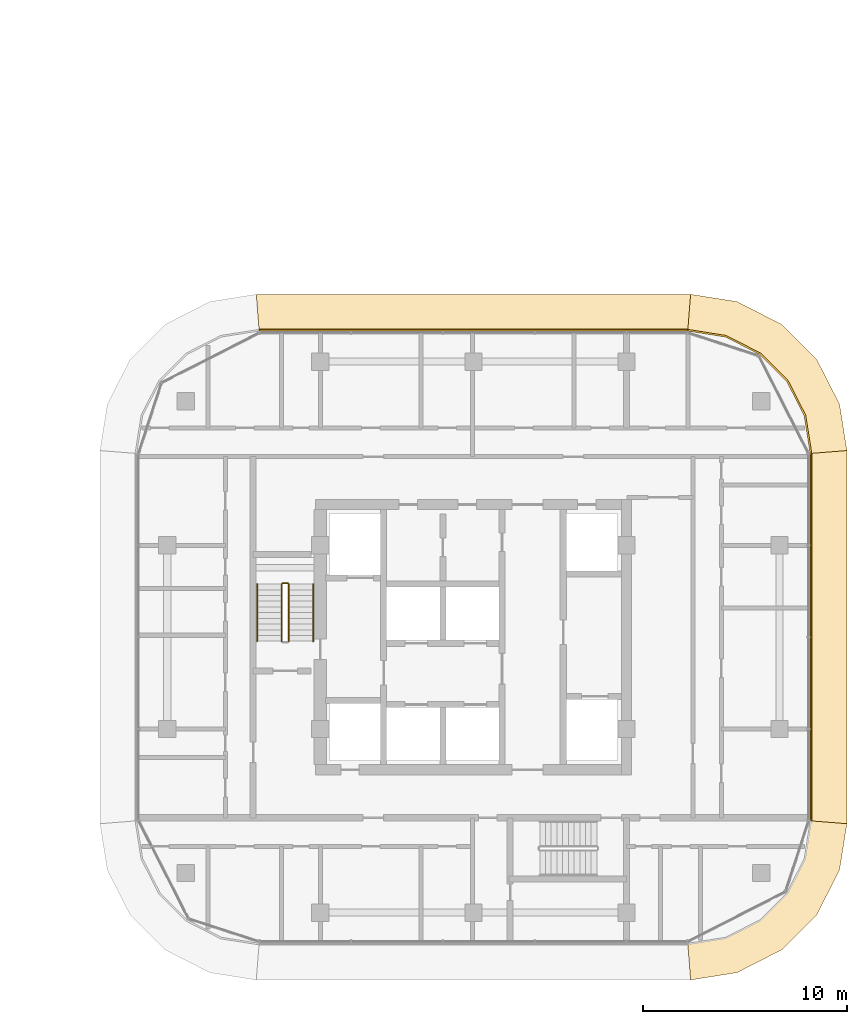
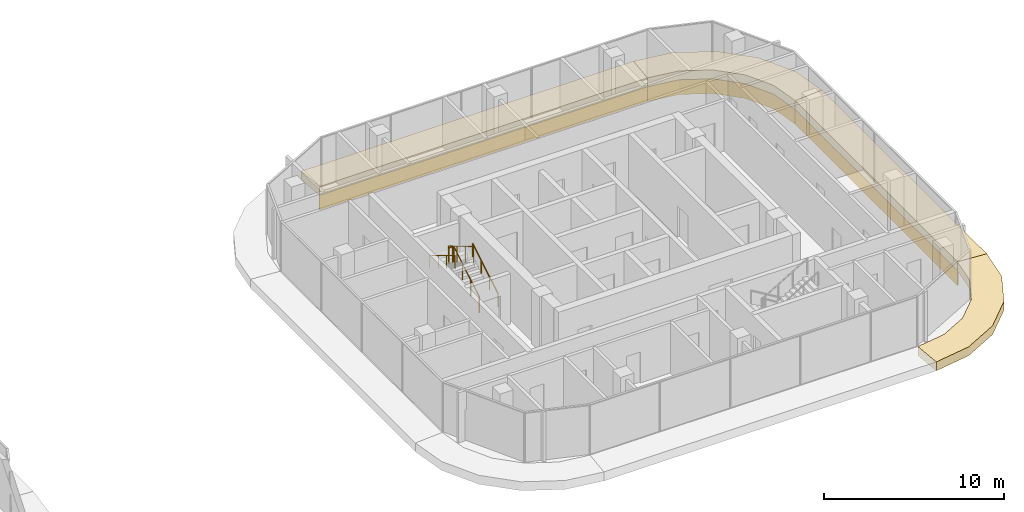
# One storey, part 36 of 36: 7 coverings, 5 railings.
"""IFC4 building model written with IfcOpenShell, lengths in metres."""

from ifc_helpers import new_model, si_unit, direction, frame, origin, origin_2d, place, context, subcontext, project, spatial, polyline, circle, outline, extrude, material, layer, layer_set, type_object, element, save


model = new_model("IFC4")

# Units and contexts
model_context = context("Model", 3, precision=1e-05, world=origin(), true_north=direction((0.0, 1.0)))
body_context = subcontext(model_context, "Body", "Model", "MODEL_VIEW")
ifc_project = project(units=[si_unit("LENGTHUNIT", "METRE"), si_unit("AREAUNIT", "SQUARE_METRE"), si_unit("VOLUMEUNIT", "CUBIC_METRE"), si_unit("PLANEANGLEUNIT", "RADIAN"), si_unit("MASSUNIT", "GRAM", prefix="KILO")], contexts=[model_context])

# Site, building, storey
site_placement = place(None, origin())
site = spatial("IfcSite", under=ifc_project, at=site_placement, CompositionType="ELEMENT")
building_placement = place(site_placement, origin())
building = spatial("IfcBuilding", under=site, at=building_placement, Name="Ogive Portal Towers", CompositionType="ELEMENT")
storey_placement = place(building_placement, frame((0.0, 0.0, 70.5)))
storey = spatial("IfcBuildingStorey", under=building, at=storey_placement, Name="L16", CompositionType="ELEMENT", Elevation=70.5)

# Railings
ifc_material_1 = material(Name="Stainless steel balustrade", Category="steel")
railing_type_1 = type_object("IfcRailingType", Name="INT-GUARD", PredefinedType="GUARDRAIL", material=ifc_material_1)
railing_1_placement = place(storey_placement, frame((127.449951171875, 30.800048828125, 0.168212890625)))
element("IfcRailing", 1, at=railing_1_placement, inside=storey, type_object=railing_type_1, Name="L16 ST-B1 stair guard 1", PredefinedType="GUARDRAIL", context=body_context, shape_type="SweptSolid", body=[
    extrude(circle(Radius=0.02392578125, at=origin_2d()), frame((0.0, 0.0, 1.076171875), z_axis=(0.0, 0.857242210791, 0.514913383045), x_axis=(-1.0, 0.0, 0.0)), (0.0, 0.0, 1.0), 3.266357421875),
    extrude(circle(Radius=0.02099609375, at=origin_2d()), origin(), (0.0, 0.0, 1.0), 1.052001953125),
    extrude(circle(Radius=0.02099609375, at=origin_2d()), frame((0.0, 0.933349609375, 0.560546875)), (0.0, 0.0, 1.0), 1.052001953125),
    extrude(circle(Radius=0.02099609375, at=origin_2d()), frame((0.0, 1.86669921875, 1.121337890625)), (0.0, 0.0, 1.0), 1.052001953125),
    extrude(circle(Radius=0.02099609375, at=origin_2d()), frame((0.0, 2.800048828125, 1.681884765625)), (0.0, 0.0, 1.0), 1.052001953125),
])
railing_2_placement = place(storey_placement, frame((127.39990234375, 33.64990234375, 1.85009765625)))
element("IfcRailing", 2, at=railing_2_placement, inside=storey, type_object=railing_type_1, Name="L16 ST-B1 stair guard 2", PredefinedType="GUARDRAIL", context=body_context, shape_type="SweptSolid", body=[
    extrude(circle(Radius=0.02392578125, at=origin_2d()), frame((0.0, 0.0, 1.076171875), z_axis=(-1.0, 0.0, 0.0), x_axis=(0.0, -1.0, 0.0)), (0.0, 0.0, 1.0), 0.25),
    extrude(circle(Radius=0.02099609375, at=origin_2d()), origin(), (0.0, 0.0, 1.0), 1.052001953125),
    extrude(circle(Radius=0.02099609375, at=origin_2d()), frame((-0.25, 0.0, 0.0)), (0.0, 0.0, 1.0), 1.052001953125),
])
railing_3_placement = place(storey_placement, frame((127.10009765625, 33.60009765625, 2.01806640625)))
element("IfcRailing", 3, at=railing_3_placement, inside=storey, type_object=railing_type_1, Name="L16 ST-B1 stair guard 3", PredefinedType="GUARDRAIL", context=body_context, shape_type="SweptSolid", body=[
    extrude(circle(Radius=0.02392578125, at=origin_2d()), frame((0.0, 0.0, 1.076171875), z_axis=(0.0, -0.857242210791, 0.514913383045), x_axis=(1.0, 0.0, 0.0)), (0.0, 0.0, 1.0), 3.266357421875),
    extrude(circle(Radius=0.02099609375, at=origin_2d()), origin(), (0.0, 0.0, 1.0), 1.052001953125),
    extrude(circle(Radius=0.02099609375, at=origin_2d()), frame((0.0, -0.933349609375, 0.560546875)), (0.0, 0.0, 1.0), 1.052001953125),
    extrude(circle(Radius=0.02099609375, at=origin_2d()), frame((0.0, -1.86669921875, 1.121337890625)), (0.0, 0.0, 1.0), 1.052001953125),
    extrude(circle(Radius=0.02099609375, at=origin_2d()), frame((0.0, -2.800048828125, 1.681884765625)), (0.0, 0.0, 1.0), 1.052001953125),
])
ifc_material_2 = material(Name="Stainless steel handrail", Category="steel")
railing_type_2 = type_object("IfcRailingType", Name="INT-HANDRAIL", PredefinedType="HANDRAIL", material=ifc_material_2)
railing_4_placement = place(storey_placement, frame((128.64990234375, 30.800048828125, 0.168212890625)))
element("IfcRailing", 4, at=railing_4_placement, inside=storey, type_object=railing_type_2, Name="L16 ST-B1 stair handrail 1", PredefinedType="HANDRAIL", context=body_context, shape_type="SweptSolid", body=[
    extrude(circle(Radius=0.02392578125, at=origin_2d()), frame((0.0, 0.0, 0.8759765625), z_axis=(0.0, 0.857242210791, 0.514913383045), x_axis=(-1.0, 0.0, 0.0)), (0.0, 0.0, 1.0), 3.266357421875),
    extrude(circle(Radius=0.02099609375, at=origin_2d()), origin(), (0.0, 0.0, 1.0), 0.851806640625),
    extrude(circle(Radius=0.02099609375, at=origin_2d()), frame((0.0, 0.933349609375, 0.560546875)), (0.0, 0.0, 1.0), 0.851806640625),
    extrude(circle(Radius=0.02099609375, at=origin_2d()), frame((0.0, 1.86669921875, 1.121337890625)), (0.0, 0.0, 1.0), 0.851806640625),
    extrude(circle(Radius=0.02099609375, at=origin_2d()), frame((0.0, 2.800048828125, 1.681884765625)), (0.0, 0.0, 1.0), 0.851806640625),
])
railing_5_placement = place(storey_placement, frame((125.89990234375, 33.60009765625, 2.01806640625)))
element("IfcRailing", 5, at=railing_5_placement, inside=storey, type_object=railing_type_2, Name="L16 ST-B1 stair handrail 2", PredefinedType="HANDRAIL", context=body_context, shape_type="SweptSolid", body=[
    extrude(circle(Radius=0.02392578125, at=origin_2d()), frame((0.0, 0.0, 0.8759765625), z_axis=(0.0, -0.857242210791, 0.514913383045), x_axis=(1.0, 0.0, 0.0)), (0.0, 0.0, 1.0), 3.266357421875),
    extrude(circle(Radius=0.02099609375, at=origin_2d()), origin(), (0.0, 0.0, 1.0), 0.851806640625),
    extrude(circle(Radius=0.02099609375, at=origin_2d()), frame((0.0, -0.933349609375, 0.560546875)), (0.0, 0.0, 1.0), 0.851806640625),
    extrude(circle(Radius=0.02099609375, at=origin_2d()), frame((0.0, -1.86669921875, 1.121337890625)), (0.0, 0.0, 1.0), 0.851806640625),
    extrude(circle(Radius=0.02099609375, at=origin_2d()), frame((0.0, -2.800048828125, 1.681884765625)), (0.0, 0.0, 1.0), 0.851806640625),
])

# Coverings
ifc_material_3 = material(Name="Limestone cladding on lightweight block wall", Category="masonry")
ifc_layer_1 = layer(ifc_material_3, 0.080078125)
ifc_layer_set_1 = layer_set([ifc_layer_1], Name="STONE SPANDREL 80")
covering_type_1 = type_object("IfcCoveringType", Name="STONE SPANDREL 80", PredefinedType="CLADDING", material=ifc_layer_set_1)
covering_1_placement = place(storey_placement, frame((0.0, 0.0, -1.60009765625)))
element("IfcCovering", 6, at=covering_1_placement, inside=storey, type_object=covering_type_1, Name="Stone spandrel B1-F04", PredefinedType="CLADDING", context=body_context, shape_type="SweptSolid", body=[
    extrude(outline(polyline([(153.0, 22.0), (153.0, 40.0), (153.080078125, 40.00634765625), (153.080078125, 21.99365234375), (153.0, 22.0)])), origin(), (0.0, 0.0, 1.0), 1.0),
])
covering_2_placement = place(storey_placement, frame((0.0, 0.0, -1.60009765625)))
element("IfcCovering", 7, at=covering_2_placement, inside=storey, type_object=covering_type_1, Name="Stone spandrel B1-F05", PredefinedType="CLADDING", context=body_context, shape_type="SweptSolid", body=[
    extrude(outline(polyline([(153.0, 40.0), (152.706298828125, 41.85400390625), (151.85400390625, 43.526611328125), (150.526611328125, 44.85400390625), (148.85400390625, 45.706298828125), (147.0, 46.0), (147.00634765625, 46.080078125), (148.879150390625, 45.783447265625), (150.57421875, 44.919677734375), (151.919677734375, 43.57421875), (152.783447265625, 41.879150390625), (153.080078125, 40.00634765625), (153.0, 40.0)])), origin(), (0.0, 0.0, 1.0), 1.0),
])
covering_3_placement = place(storey_placement, frame((0.0, 0.0, -1.60009765625)))
element("IfcCovering", 8, at=covering_3_placement, inside=storey, type_object=covering_type_1, Name="Stone spandrel B1-F06", PredefinedType="CLADDING", context=body_context, shape_type="SweptSolid", body=[
    extrude(outline(polyline([(147.0, 46.0), (126.0, 46.0), (125.99365234375, 46.080078125), (147.00634765625, 46.080078125), (147.0, 46.0)])), origin(), (0.0, 0.0, 1.0), 1.0),
])
ifc_layer_2 = layer(ifc_material_3, 0.60009765625)
ifc_layer_set_2 = layer_set([ifc_layer_2], Name="SUNSHADE LIP 600")
covering_type_2 = type_object("IfcCoveringType", Name="SUNSHADE LIP 600", PredefinedType="CLADDING", material=ifc_layer_set_2)
covering_4_placement = place(storey_placement, frame((0.0, 0.0, -0.60009765625)))
element("IfcCovering", 9, at=covering_4_placement, inside=storey, type_object=covering_type_2, Name="Sunshade lip B1-F03", PredefinedType="CLADDING", context=body_context, shape_type="SweptSolid", body=[
    extrude(outline(polyline([(147.0, 16.0), (148.85400390625, 16.293701171875), (150.526611328125, 17.14599609375), (151.85400390625, 18.473388671875), (152.706298828125, 20.14599609375), (153.0, 22.0), (154.800048828125, 21.8583984375), (154.439697265625, 19.582763671875), (153.328369140625, 17.402099609375), (151.597900390625, 15.671630859375), (149.417236328125, 14.560302734375), (147.1416015625, 14.199951171875), (147.0, 16.0)])), origin(), (0.0, 0.0, 1.0), 0.60009765625),
])
covering_5_placement = place(storey_placement, frame((0.0, 0.0, -0.60009765625)))
element("IfcCovering", 10, at=covering_5_placement, inside=storey, type_object=covering_type_2, Name="Sunshade lip B1-F04", PredefinedType="CLADDING", context=body_context, shape_type="SweptSolid", body=[
    extrude(outline(polyline([(153.0, 22.0), (153.0, 40.0), (154.800048828125, 40.1416015625), (154.800048828125, 21.8583984375), (153.0, 22.0)])), origin(), (0.0, 0.0, 1.0), 0.60009765625),
])
covering_6_placement = place(storey_placement, frame((0.0, 0.0, -0.60009765625)))
element("IfcCovering", 11, at=covering_6_placement, inside=storey, type_object=covering_type_2, Name="Sunshade lip B1-F05", PredefinedType="CLADDING", context=body_context, shape_type="SweptSolid", body=[
    extrude(outline(polyline([(153.0, 40.0), (152.706298828125, 41.85400390625), (151.85400390625, 43.526611328125), (150.526611328125, 44.85400390625), (148.85400390625, 45.706298828125), (147.0, 46.0), (147.1416015625, 47.800048828125), (149.417236328125, 47.439697265625), (151.597900390625, 46.328369140625), (153.328369140625, 44.597900390625), (154.439697265625, 42.417236328125), (154.800048828125, 40.1416015625), (153.0, 40.0)])), origin(), (0.0, 0.0, 1.0), 0.60009765625),
])
covering_7_placement = place(storey_placement, frame((0.0, 0.0, -0.60009765625)))
element("IfcCovering", 12, at=covering_7_placement, inside=storey, type_object=covering_type_2, Name="Sunshade lip B1-F06", PredefinedType="CLADDING", context=body_context, shape_type="SweptSolid", body=[
    extrude(outline(polyline([(147.0, 46.0), (126.0, 46.0), (125.8583984375, 47.800048828125), (147.1416015625, 47.800048828125), (147.0, 46.0)])), origin(), (0.0, 0.0, 1.0), 0.60009765625),
])

save(model, "model.ifc")
